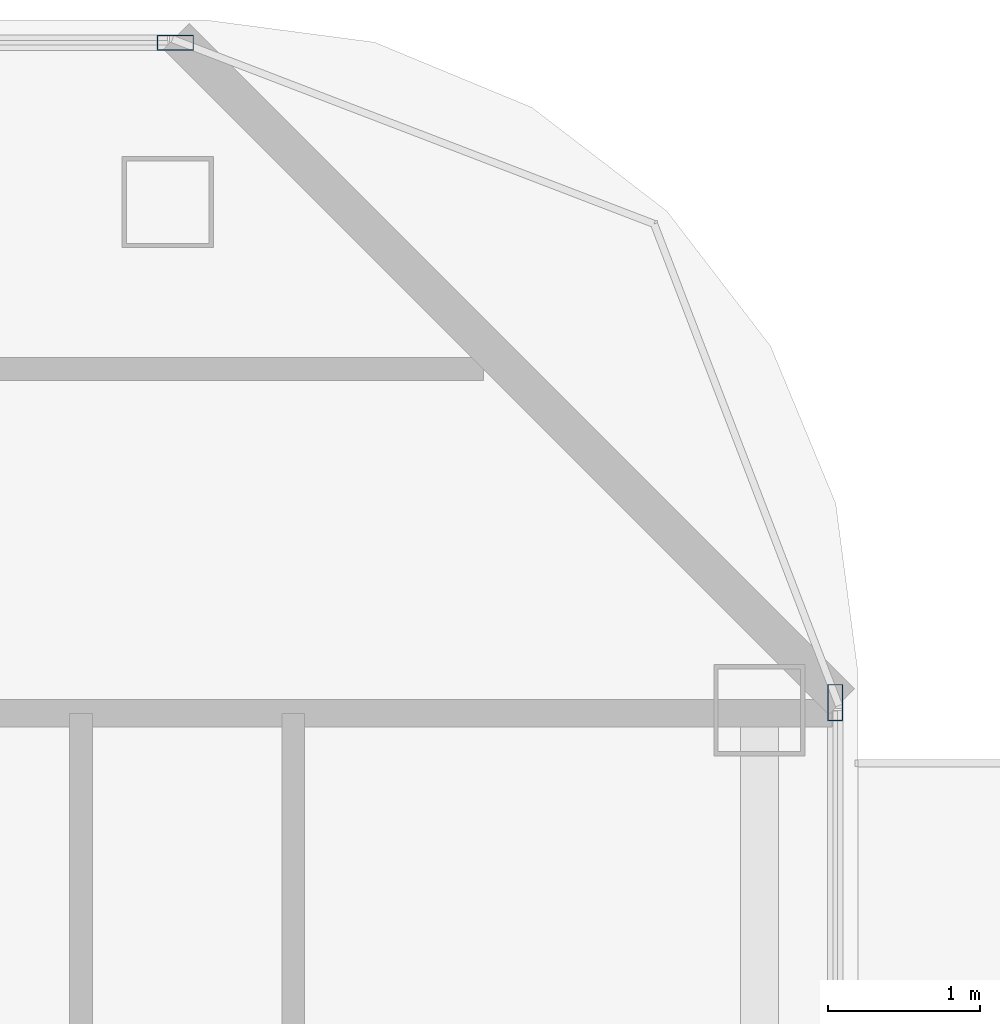
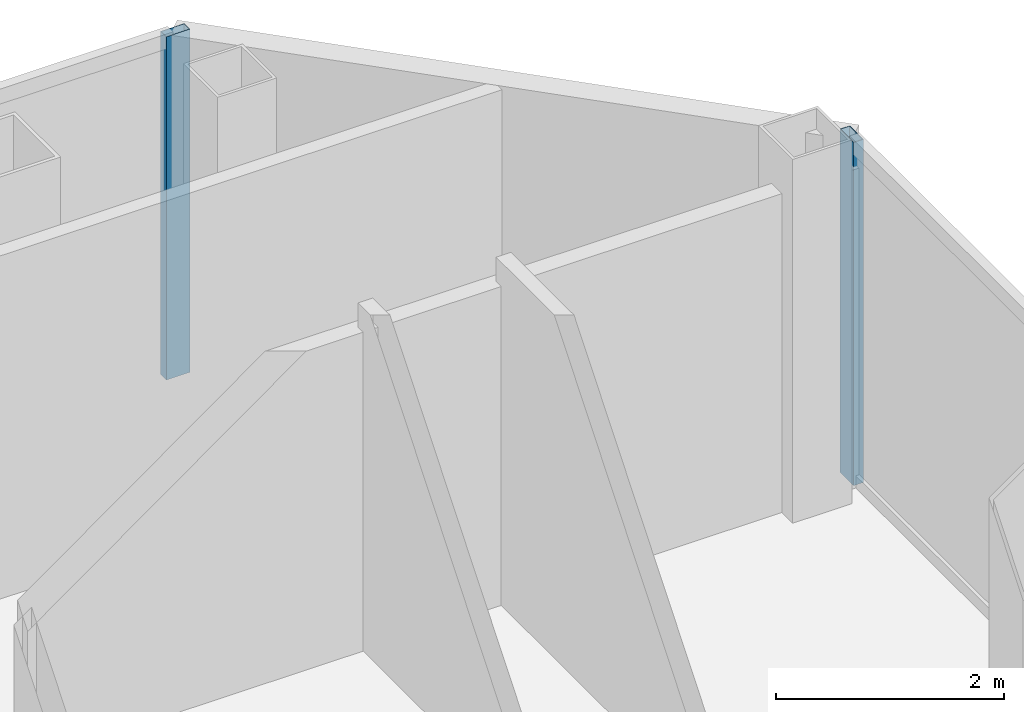
# One storey, part 17 of 27: 2 members, 2 elements without a shape of their own.
"""IFC4 building model written with IfcOpenShell, lengths in metres."""

from ifc_helpers import new_model, si_unit, direction, frame, origin, origin_2d, place, context, subcontext, project, spatial, hollow_rectangle, extrude, material, layer, layer_set, material_profile, profile_set, type_object, element, aggregate, save


model = new_model("IFC4")

# Units and contexts
model_context = context("Model", 3, precision=1e-05, world=origin(), true_north=direction((0.0, 1.0)))
body_context = subcontext(model_context, "Body", "Model", "MODEL_VIEW")
ifc_project = project(units=[si_unit("LENGTHUNIT", "METRE"), si_unit("AREAUNIT", "SQUARE_METRE"), si_unit("VOLUMEUNIT", "CUBIC_METRE"), si_unit("PLANEANGLEUNIT", "RADIAN"), si_unit("MASSUNIT", "GRAM", prefix="KILO")], contexts=[model_context])

# Site, building, storey
site_placement = place(None, origin())
site = spatial("IfcSite", under=ifc_project, at=site_placement, CompositionType="ELEMENT")
building_placement = place(site_placement, origin())
building = spatial("IfcBuilding", under=site, at=building_placement, Name="Khorvyn Point Tower", CompositionType="ELEMENT")
storey_placement = place(building_placement, frame((0.0, 0.0, 243.0)))
storey = spatial("IfcBuildingStorey", under=building, at=storey_placement, Name="L59", CompositionType="ELEMENT", Elevation=243.0)

# Curtain wall, member
ifc_material_1 = material(Name="Anodised aluminium 6063-T6 and laminated Low-E glass", Category="aluminium")
ifc_layer = layer(ifc_material_1, 0.18994140625)
ifc_layer_set = layer_set([ifc_layer], Name="Stick-Built Acoustic Curtain Wall CW-SYS-03")
curtain_wall_type = type_object("IfcCurtainWallType", Name="Stick-Built Acoustic Curtain Wall CW-SYS-03", PredefinedType="NOTDEFINED", material=ifc_layer_set)
curtain_wall_1_placement = place(storey_placement, origin())
curtain_wall_1 = element("IfcCurtainWall", 1, at=curtain_wall_1_placement, inside=storey, type_object=curtain_wall_type, Name="Curtain Wall", PredefinedType="NOTDEFINED")
ifc_material_2 = material(Name="Anodised aluminium 6063-T6", Category="aluminium")
ifc_material_profile = material_profile(ifc_material_2, hollow_rectangle(XDim=0.10009765625, YDim=0.239990234375, WallThickness=0.0048828125, at=origin_2d()))
ifc_profile_set = profile_set([ifc_material_profile], Name="Anodised aluminium 6063-T6 ALU-MUL-100x240")
member_type = type_object("IfcMemberType", Name="Anodised Aluminium 6063-T6 Mullion ALU-MUL-100x240", PredefinedType="MULLION", material=ifc_profile_set)
member_1_placement = place(storey_placement, frame((21.800048828125, 15.85009765625, 0.0), z_axis=(0.0, 0.0, 1.0), x_axis=(0.0, 1.0, 0.0)))
member_1 = element("IfcMember", 2, at=member_1_placement, type_object=member_type, Name="Transom", PredefinedType="MULLION", context=body_context, shape_type="SweptSolid", body=[
    extrude(hollow_rectangle(XDim=0.10009765625, YDim=0.239990234375, WallThickness=0.0048828125, at=origin_2d()), origin(), (0.0, 0.0, 1.0), 3.679931640625),
])
aggregate(curtain_wall_1, [member_1])

curtain_wall_2_placement = place(storey_placement, origin())
curtain_wall_2 = element("IfcCurtainWall", 3, at=curtain_wall_2_placement, inside=storey, type_object=curtain_wall_type, Name="Curtain Wall", PredefinedType="NOTDEFINED")
member_2_placement = place(storey_placement, frame((26.14990234375, 11.5, 0.0), z_axis=(0.0, 0.0, 1.0), x_axis=(1.0, 0.0, 0.0)))
member_2 = element("IfcMember", 4, at=member_2_placement, type_object=member_type, Name="Transom", PredefinedType="MULLION", context=body_context, shape_type="SweptSolid", body=[
    extrude(hollow_rectangle(XDim=0.10009765625, YDim=0.239990234375, WallThickness=0.0048828125, at=origin_2d()), origin(), (0.0, 0.0, 1.0), 3.679931640625),
])
aggregate(curtain_wall_2, [member_2])

save(model, "model.ifc")
